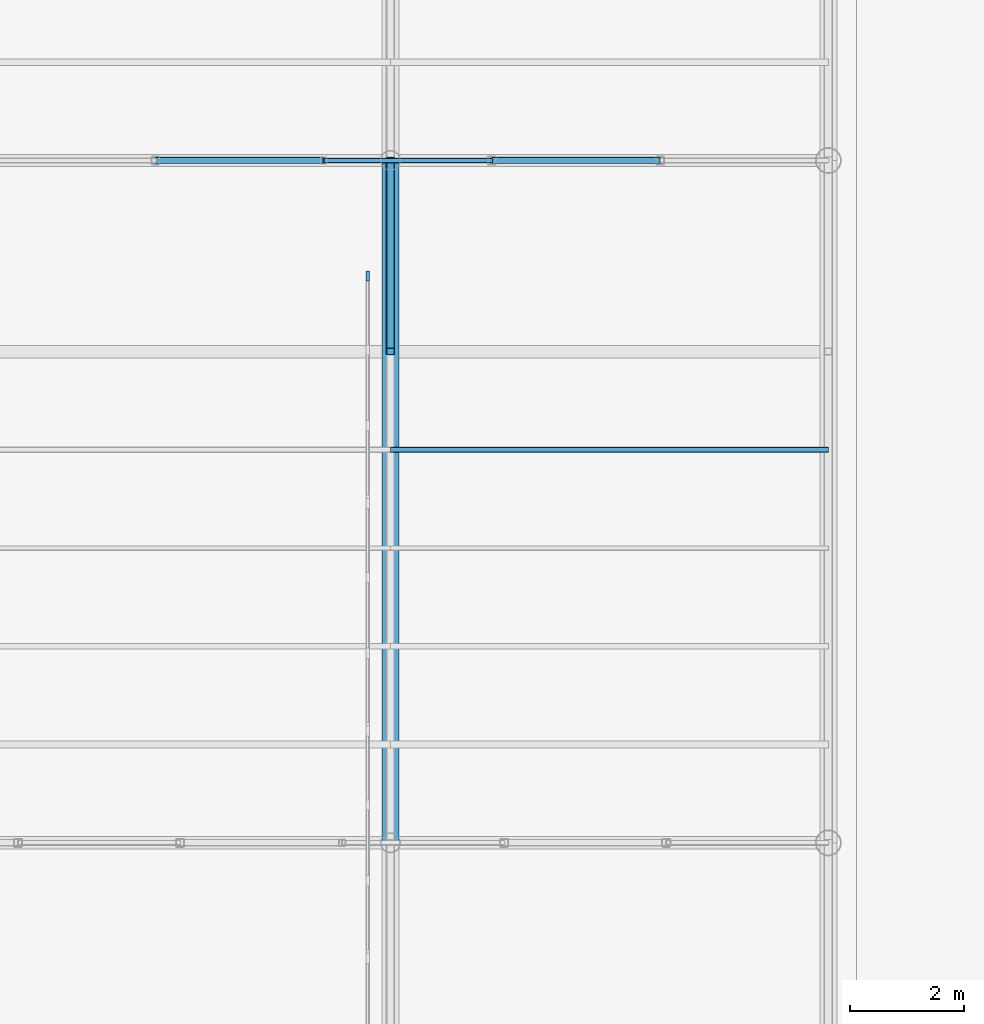
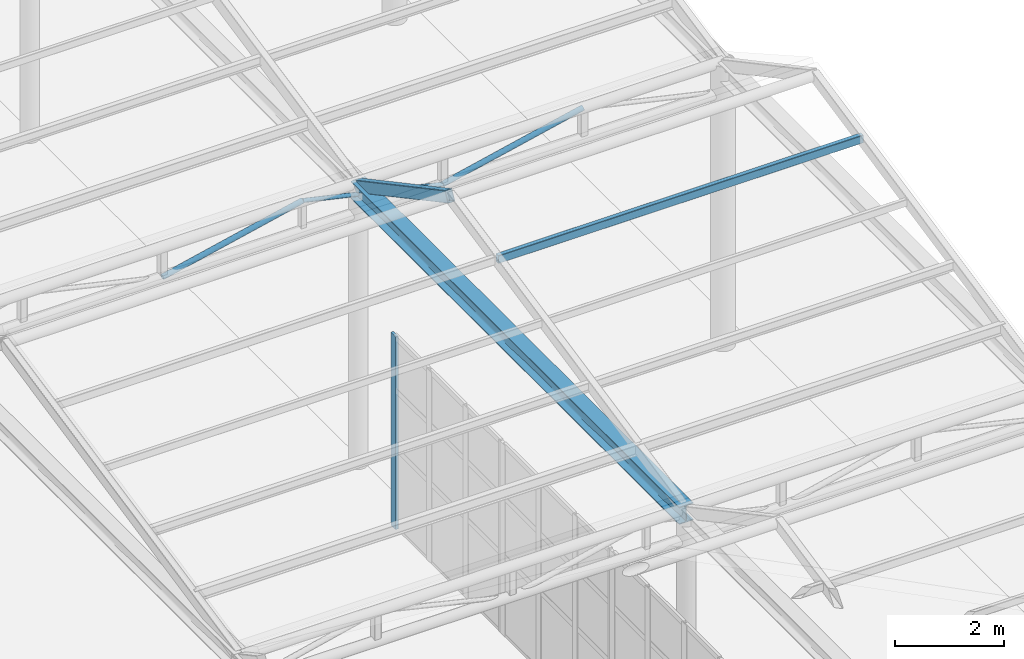
# One storey, part 47 of 118: 6 members, 1 beam, 1 element without a shape of its own.
"""IFC4 building model written with IfcOpenShell, lengths in metres."""

import ifcopenshell
import ifcopenshell.guid

model = None  # the IFC model being written
_history = None  # IfcOwnerHistory: only IFC2X3 demands one
_inside = {}  # id of a spatial element -> (the spatial element, [elements in it])
_under = {}  # id of a project, library or spatial element -> (it, [spatial elements below it])
_declared = {}  # id of a project -> (the project, [libraries it declares])
_typed = {}  # id of a type object -> (the type object, [elements of that type])
_made_of = {}  # id of a material, layer set ... -> (it, [elements and type objects made of it])


def new_model(schema):
    """Start an empty IFC model of exactly this schema.

    Asked for "IFC4X3", IfcOpenShell would pick the latest addendum, in which some entities
    have other attributes; the version numbers below select the first issue.
    IFC2X3 requires an IfcOwnerHistory on every rooted entity: one is made here for all.
    """
    global model, _history
    if schema == "IFC4X3":
        model = ifcopenshell.file(schema_version=(4, 3, 0, 0))
    else:
        model = ifcopenshell.file(schema=schema)
    _inside.clear()
    _under.clear()
    _declared.clear()
    _typed.clear()
    _made_of.clear()
    _history = None
    if model.schema == "IFC2X3":
        org = make("IfcOrganization", Name="unknown")
        user = make(
            "IfcPersonAndOrganization",
            ThePerson=make("IfcPerson", FamilyName="unknown"),
            TheOrganization=org,
        )
        app = make(
            "IfcApplication",
            ApplicationDeveloper=org,
            Version="unknown",
            ApplicationFullName="unknown",
            ApplicationIdentifier="unknown",
        )
        _history = make(
            "IfcOwnerHistory",
            OwningUser=user,
            OwningApplication=app,
            ChangeAction="ADDED",
            CreationDate=0,
        )
    return model


def make(cls, **values):
    """One entity of the class cls with the attributes given. An attribute that is None is left unset."""
    return model.create_entity(
        cls, **{name: value for name, value in values.items() if value is not None}
    )


def rooted(cls, **values):
    """An entity with a GlobalId (a new one), such as an element, a storey or a relation."""
    return make(cls, GlobalId=ifcopenshell.guid.new(), OwnerHistory=_history, **values)


def si_unit(unit_type, name, prefix=None):
    """IfcSIUnit, for example si_unit("LENGTHUNIT", "METRE", prefix="MILLI")."""
    return make("IfcSIUnit", UnitType=unit_type, Prefix=prefix, Name=name)


def assignment(units):
    """IfcUnitAssignment: the units of a project."""
    return None if units is None else make("IfcUnitAssignment", Units=units)


def point(xyz):
    """IfcCartesianPoint."""
    return None if xyz is None else make("IfcCartesianPoint", Coordinates=xyz)


def direction(xyz):
    """IfcDirection."""
    return None if xyz is None else make("IfcDirection", DirectionRatios=xyz)


def frame(location, z_axis=None, x_axis=None):
    """IfcAxis2Placement3D, a coordinate frame: its origin and axes. An axis left out is left unset."""
    return make(
        "IfcAxis2Placement3D",
        Location=point(location),
        Axis=direction(z_axis),
        RefDirection=direction(x_axis),
    )


def frame_2d(location, x_axis=None):
    """IfcAxis2Placement2D, a coordinate frame in the plane: its origin and x axis."""
    return make(
        "IfcAxis2Placement2D", Location=point(location), RefDirection=direction(x_axis)
    )


def origin():
    """The frame at (0, 0, 0) with its axes left unset."""
    return frame((0.0, 0.0, 0.0))


def origin_2d():
    """The frame at (0, 0) in the plane with its x axis left unset."""
    return frame_2d((0.0, 0.0))


def place(relative_to, where):
    """IfcLocalPlacement: puts the frame where relative to a parent placement (None: the world)."""
    return make(
        "IfcLocalPlacement", PlacementRelTo=relative_to, RelativePlacement=where
    )


def context(
    kind, dimensions, precision=None, world=None, true_north=None, identifier=None
):
    """IfcGeometricRepresentationContext, for example the 3D "Model" context."""
    return make(
        "IfcGeometricRepresentationContext",
        ContextIdentifier=identifier,
        ContextType=kind,
        CoordinateSpaceDimension=dimensions,
        Precision=precision,
        WorldCoordinateSystem=world,
        TrueNorth=true_north,
    )


def subcontext(parent, identifier, kind, view, scale=None):
    """IfcGeometricRepresentationSubContext, for example "Body" below "Model"."""
    return make(
        "IfcGeometricRepresentationSubContext",
        ContextIdentifier=identifier,
        ContextType=kind,
        ParentContext=parent,
        TargetScale=scale,
        TargetView=view,
    )


def project(units=None, contexts=None):
    """IfcProject with its units and contexts."""
    return rooted(
        "IfcProject",
        Name="project",
        RepresentationContexts=contexts,
        UnitsInContext=assignment(units),
    )


def spatial(cls, under=None, at=None, **own):
    """A site, building, storey or space (cls), placed at a placement, below another one or the project."""
    s = rooted(cls, ObjectPlacement=at, **own)
    if under is not None:
        _under.setdefault(under.id(), (under, []))[1].append(s)
    return s


def profile(cls, at=None, kind="AREA", **sizes):
    """A parametric profile (cls). Its sizes go by their IFC names, for example OverallWidth=200.0."""
    return make(cls, ProfileType=kind, Position=at, **sizes)


def rectangle(**sizes):
    """IfcRectangleProfileDef."""
    return profile("IfcRectangleProfileDef", **sizes)


def hollow_rectangle(**sizes):
    """IfcRectangleHollowProfileDef."""
    return profile("IfcRectangleHollowProfileDef", **sizes)


def hollow_circle(**sizes):
    """IfcCircleHollowProfileDef."""
    return profile("IfcCircleHollowProfileDef", **sizes)


def i_section(**sizes):
    """IfcIShapeProfileDef."""
    return profile("IfcIShapeProfileDef", **sizes)


def extrude(swept, where, along, depth):
    """IfcExtrudedAreaSolid: the profile swept, set in the frame where, extruded along a direction by depth."""
    return make(
        "IfcExtrudedAreaSolid",
        SweptArea=swept,
        Position=where,
        ExtrudedDirection=direction(along),
        Depth=depth,
    )


def shape(context_of_items, identifier, shape_type, items):
    """IfcShapeRepresentation: the items that make up one representation, for example the "Body"."""
    return make(
        "IfcShapeRepresentation",
        ContextOfItems=context_of_items,
        RepresentationIdentifier=identifier,
        RepresentationType=shape_type,
        Items=items,
    )


def material(Name=None, Category=None):
    """IfcMaterial."""
    return make("IfcMaterial", Name=Name, Category=Category)


def material_profile(
    of_material, cross_section, Name=None, Category=None, Priority=None
):
    """IfcMaterialProfile: a cross section and its material."""
    return make(
        "IfcMaterialProfile",
        Name=Name,
        Material=of_material,
        Profile=cross_section,
        Priority=Priority,
        Category=Category,
    )


def profile_set(profiles, Name=None, composite=None):
    """IfcMaterialProfileSet."""
    return make(
        "IfcMaterialProfileSet",
        Name=Name,
        MaterialProfiles=profiles,
        CompositeProfile=composite,
    )


def made_of(thing, what):
    """Note that an element or type object is made of a material, layer set ...; save() writes the relation."""
    if what is not None:
        _made_of.setdefault(what.id(), (what, []))[1].append(thing)
    return thing


def type_object(cls, material=None, **own):
    """A type object (cls), such as IfcWallType, which elements share."""
    return made_of(rooted(cls, **own), material)


def element(
    cls,
    number,
    at=None,
    inside=None,
    cuts=None,
    type_object=None,
    material=None,
    context=None,
    identifier="Body",
    shape_type=None,
    held_by="IfcProductDefinitionShape",
    body=None,
    shapes=None,
    **own,
):
    """One element of the class cls, such as IfcWall. Its Tag is "e" and its number.

    at: its placement. inside: the storey or other place that contains it. cuts: it is an
    opening in that element (IfcRelVoidsElement). A single representation is given by context,
    identifier, shape_type and body (its items); several are given by shapes. held_by: the class
    of the entity that holds the representations. save() writes the other relations.
    """
    e = rooted(cls, Tag="e%d" % number, ObjectPlacement=at, **own)
    if body is not None:
        shapes = [shape(context, identifier, shape_type, body)]
    if shapes is not None:
        e.Representation = make(held_by, Representations=shapes)
    if inside is not None:
        _inside.setdefault(inside.id(), (inside, []))[1].append(e)
    if cuts is not None:
        rooted(
            "IfcRelVoidsElement", RelatingBuildingElement=cuts, RelatedOpeningElement=e
        )
    if type_object is not None:
        _typed.setdefault(type_object.id(), (type_object, []))[1].append(e)
    return made_of(e, material)


def aggregate(whole, parts):
    """IfcRelAggregates: a whole, such as a stair, and the parts it consists of."""
    return rooted("IfcRelAggregates", RelatingObject=whole, RelatedObjects=parts)


def save(model, path):
    """Write the relations noted so far, then the file.

    IfcRelAggregates (storeys below a building ...), IfcRelContainedInSpatialStructure (elements
    in a storey), IfcRelDefinesByType, IfcRelAssociatesMaterial and IfcRelDeclares: one each for
    every whole, place, type object, material and project.
    """
    for whole, parts in _under.values():
        aggregate(whole, parts)
    for where, things in _inside.values():
        rooted(
            "IfcRelContainedInSpatialStructure",
            RelatedElements=things,
            RelatingStructure=where,
        )
    for kind, things in _typed.values():
        rooted("IfcRelDefinesByType", RelatedObjects=things, RelatingType=kind)
    for what, things in _made_of.values():
        rooted("IfcRelAssociatesMaterial", RelatedObjects=things, RelatingMaterial=what)
    for by, libraries in _declared.values():
        rooted("IfcRelDeclares", RelatingContext=by, RelatedDefinitions=libraries)
    model.write(path)


model = new_model("IFC4")

# Units and contexts
model_context = context("Model", 3, precision=1e-05, world=origin(), true_north=direction((0.0, 1.0)))
body_context = subcontext(model_context, "Body", "Model", "MODEL_VIEW")
ifc_project = project(units=[si_unit("LENGTHUNIT", "METRE"), si_unit("AREAUNIT", "SQUARE_METRE"), si_unit("VOLUMEUNIT", "CUBIC_METRE"), si_unit("PLANEANGLEUNIT", "RADIAN"), si_unit("MASSUNIT", "GRAM", prefix="KILO")], contexts=[model_context])

# Site, building, storey
site_placement = place(None, origin())
site = spatial("IfcSite", under=ifc_project, at=site_placement, CompositionType="ELEMENT")
building_placement = place(site_placement, origin())
building = spatial("IfcBuilding", under=site, at=building_placement, Name="Kolvaren Corner Interchange", CompositionType="ELEMENT")
storey_placement = place(building_placement, origin())
storey = spatial("IfcBuildingStorey", under=building, at=storey_placement, Name="L01", CompositionType="ELEMENT", Elevation=0.0)

# Beam
ifc_material_1 = material(Name="Steel S355", Category="steel")
ifc_material_profile_1 = material_profile(ifc_material_1, i_section(OverallWidth=0.300048828125, OverallDepth=0.389892578125, WebThickness=0.010986328125, FlangeThickness=0.01904296875, FilletRadius=0.027099609375, at=origin_2d()), Name="HEA 400")
ifc_profile_set_1 = profile_set([ifc_material_profile_1], Name="Steel S355")
beam_type = type_object("IfcBeamType", Name="BM-HEA400", PredefinedType="BEAM", material=ifc_profile_set_1)
beam_placement = place(storey_placement, frame((155.800048828125, 66.0, 6.199951171875), z_axis=(0.0, 1.0, 0.0), x_axis=(-1.0, 0.0, 0.0)))
element("IfcBeam", 1, at=beam_placement, inside=storey, type_object=beam_type, Name="Bus Canopy Eaves Girder 015", PredefinedType="BEAM", context=body_context, shape_type="SweptSolid", body=[
    extrude(i_section(OverallWidth=0.300048828125, OverallDepth=0.389892578125, WebThickness=0.010986328125, FlangeThickness=0.01904296875, FilletRadius=0.027099609375, at=origin_2d()), origin(), (0.0, 0.0, 1.0), 12.0),
])

# Members
ifc_material_2 = material(Name="Steel S355", Category="steel")
ifc_material_profile_2 = material_profile(ifc_material_2, hollow_circle(Radius=0.05712890625, WallThickness=0.00634765625, at=origin_2d()), Name="CHS 114.3x6.3")
ifc_profile_set_2 = profile_set([ifc_material_profile_2], Name="Steel S355")
member_type_1 = type_object("IfcMemberType", Name="MEM-BR-CHS114", PredefinedType="BRACE", material=ifc_profile_set_2)
member_1_placement = place(storey_placement, frame((151.666748046875, 78.0, 5.64990234375), z_axis=(0.97528679841, 0.0, 0.220942664161), x_axis=(0.0, 1.0, 0.0)))
element("IfcMember", 2, at=member_1_placement, inside=storey, type_object=member_type_1, Name="Bus Canopy Sawtooth Roof Truss 04 Web Diagonal 09", PredefinedType="BRACE", context=body_context, shape_type="SweptSolid", body=[
    extrude(hollow_circle(Radius=0.05712890625, WallThickness=0.00634765625, at=origin_2d()), origin(), (0.0, 0.0, 1.0), 3.033203125),
])
member_2_placement = place(storey_placement, frame((157.583251953125, 78.0, 5.64990234375), z_axis=(0.975290727078, 0.0, 0.220925321491), x_axis=(0.0, 1.0, 0.0)))
element("IfcMember", 3, at=member_2_placement, inside=storey, type_object=member_type_1, Name="Bus Canopy Sawtooth Roof Truss 04 Web Diagonal 11", PredefinedType="BRACE", context=body_context, shape_type="SweptSolid", body=[
    extrude(hollow_circle(Radius=0.05712890625, WallThickness=0.00634765625, at=origin_2d()), origin(), (0.0, 0.0, 1.0), 3.033447265625),
])
ifc_material_3 = material(Name="Steel S355", Category="steel")
ifc_material_profile_3 = material_profile(ifc_material_3, hollow_circle(Radius=0.04443359375, WallThickness=0.0048828125, at=origin_2d()), Name="CHS 88.9x5.0")
ifc_profile_set_3 = profile_set([ifc_material_profile_3], Name="Steel S355")
member_type_2 = type_object("IfcMemberType", Name="MEM-BR-CHS89", PredefinedType="BRACE", material=ifc_profile_set_3)
member_3_placement = place(storey_placement, frame((154.625, 78.0, 6.320068359375), z_axis=(0.97528679841, 0.0, -0.220942664161), x_axis=(0.0, 1.0, 0.0)))
element("IfcMember", 4, at=member_3_placement, inside=storey, type_object=member_type_2, Name="Bus Canopy Sawtooth Roof Truss 04 Web Diagonal 10", PredefinedType="BRACE", context=body_context, shape_type="SweptSolid", body=[
    extrude(hollow_circle(Radius=0.04443359375, WallThickness=0.0048828125, at=origin_2d()), origin(), (0.0, 0.0, 1.0), 3.033203125),
])
ifc_material_4 = material(Name="Steel S355", Category="steel")
ifc_material_profile_4 = material_profile(ifc_material_4, hollow_rectangle(XDim=0.10009765625, YDim=0.179931640625, WallThickness=0.008056640625, InnerFilletRadius=0.008056640625, OuterFilletRadius=0.01611328125, at=origin_2d()), Name="RHS 180x100x8.0")
ifc_profile_set_4 = profile_set([ifc_material_profile_4], Name="Steel S355")
member_type_3 = type_object("IfcMemberType", Name="MEM-PR-RHS180", PredefinedType="PURLIN", material=ifc_profile_set_4)
member_4_placement = place(storey_placement, frame((155.800048828125, 72.912109375, 7.699951171875), z_axis=(1.0, 0.0, 0.0), x_axis=(0.0, 1.0, 0.0)))
element("IfcMember", 5, at=member_4_placement, inside=storey, type_object=member_type_3, Name="Bus Canopy Sawtooth Purlin 03 Row 4 Bay 155", PredefinedType="PURLIN", context=body_context, shape_type="SweptSolid", body=[
    extrude(hollow_rectangle(XDim=0.10009765625, YDim=0.179931640625, WallThickness=0.008056640625, InnerFilletRadius=0.008056640625, OuterFilletRadius=0.01611328125, at=origin_2d()), origin(), (0.0, 0.0, 1.0), 7.699951171875),
])
ifc_material_5 = material(Name="Steel S355", Category="steel")
ifc_material_profile_5 = material_profile(ifc_material_5, hollow_rectangle(XDim=0.14990234375, YDim=0.25, WallThickness=0.010009765625, InnerFilletRadius=0.010009765625, OuterFilletRadius=0.02001953125, at=origin_2d()), Name="RHS 250x150x10.0")
ifc_profile_set_5 = profile_set([ifc_material_profile_5], Name="Steel S355")
member_type_4 = type_object("IfcMemberType", Name="MEM-RF-RHS250", PredefinedType="RAFTER", material=ifc_profile_set_5)
member_5_placement = place(storey_placement, frame((155.800048828125, 74.639892578125, 8.050048828125), z_axis=(0.0, 0.881480922165, -0.47221963519), x_axis=(-1.0, 0.0, 0.0)))
element("IfcMember", 6, at=member_5_placement, inside=storey, type_object=member_type_4, Name="Bus Canopy Sawtooth North Rafter 03 Line 2", PredefinedType="RAFTER", context=body_context, shape_type="SweptSolid", body=[
    extrude(hollow_rectangle(XDim=0.14990234375, YDim=0.25, WallThickness=0.010009765625, InnerFilletRadius=0.010009765625, OuterFilletRadius=0.02001953125, at=origin_2d()), origin(), (0.0, 0.0, 1.0), 3.811767578125),
])

# Curtain wall, member
ifc_material_6 = material(Name="Unitised Aluminium and Solar-Control Glass Curtain Wall", Category="aluminium")
curtain_wall_type = type_object("IfcCurtainWallType", Name="CW-V4-BOARD", PredefinedType="NOTDEFINED", material=ifc_material_6)
curtain_wall_placement = place(storey_placement, origin())
curtain_wall = element("IfcCurtainWall", 7, at=curtain_wall_placement, inside=storey, type_object=curtain_wall_type, Name="Bus Island East Boarding Curtain Wall Bay 12", PredefinedType="NOTDEFINED")
ifc_material_7 = material(Name="Anodised Aluminium Framing", Category="aluminium")
ifc_material_profile_6 = material_profile(ifc_material_7, rectangle(XDim=0.06005859375, YDim=0.179931640625, at=origin_2d()), Name="ALU 60x180")
ifc_profile_set_6 = profile_set([ifc_material_profile_6], Name="Anodised Aluminium Framing")
member_type_5 = type_object("IfcMemberType", Name="MUL-ALU60x180", PredefinedType="MULLION", material=ifc_profile_set_6)
member_6_placement = place(storey_placement, frame((155.39990234375, 75.969970703125, 0.0), z_axis=(0.0, 0.0, 1.0), x_axis=(-1.0, 0.0, 0.0)))
member_6 = element("IfcMember", 8, at=member_6_placement, type_object=member_type_5, Name="CW-149 mullion 4", PredefinedType="MULLION", context=body_context, shape_type="SweptSolid", body=[
    extrude(rectangle(XDim=0.06005859375, YDim=0.179931640625, at=origin_2d()), origin(), (0.0, 0.0, 1.0), 4.300048828125),
])
aggregate(curtain_wall, [member_6])

save(model, "model.ifc")
